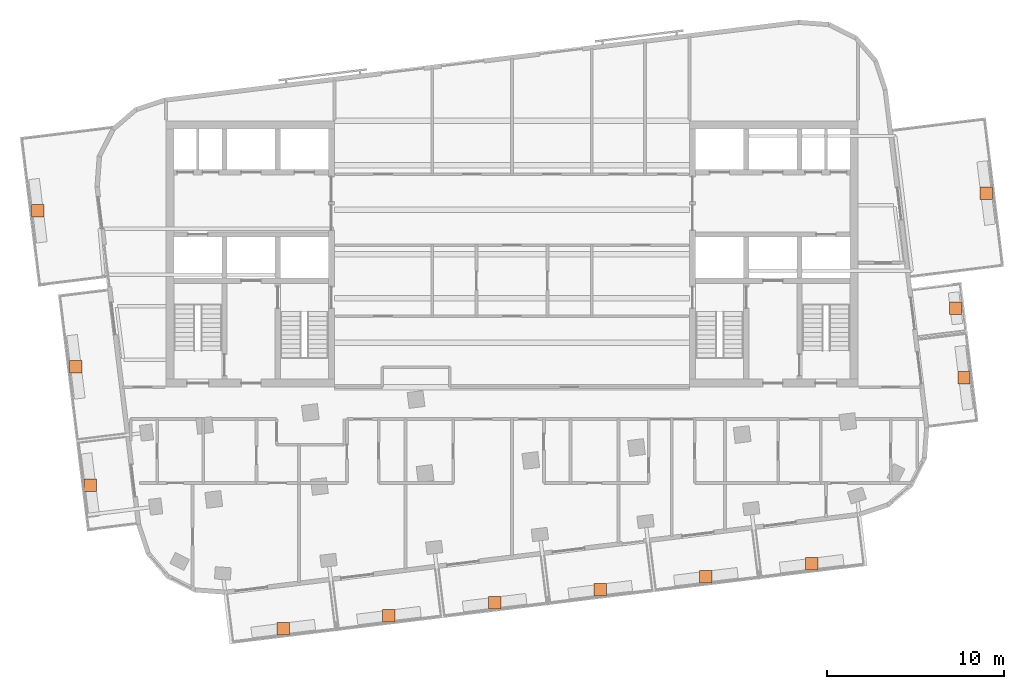
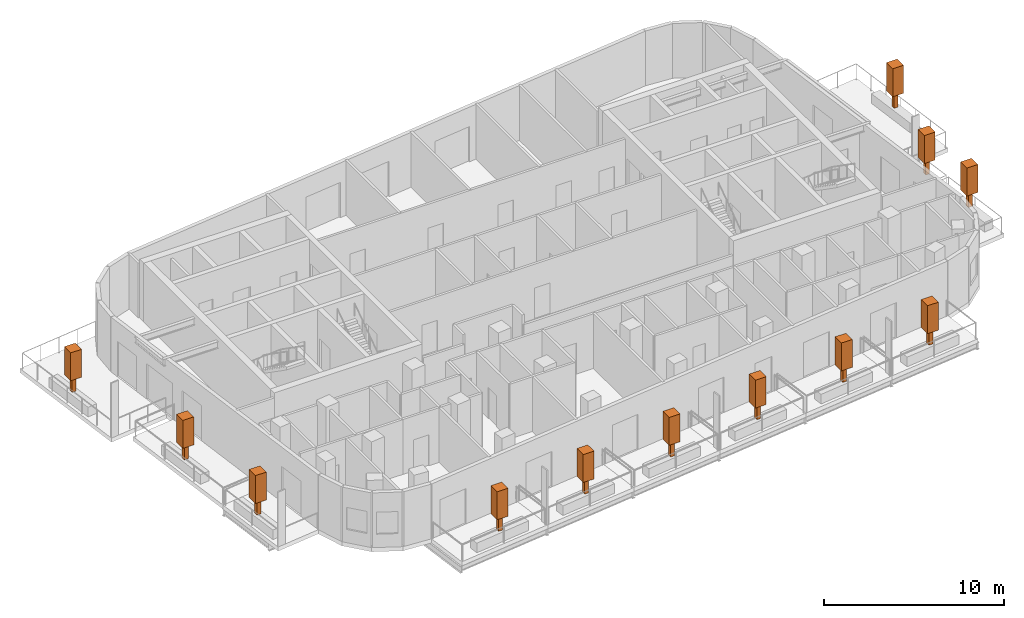
# One storey, part 11 of 11: 12 geographic elements.
"""IFC4 building model written with IfcOpenShell, lengths in metres."""

from ifc_helpers import new_model, si_unit, direction, frame, origin, origin_2d, place, context, subcontext, project, spatial, rectangle, extrude, material, element, save


model = new_model("IFC4")

# Units and contexts
model_context = context("Model", 3, precision=1e-05, world=origin(), true_north=direction((0.0, 1.0)))
body_context = subcontext(model_context, "Body", "Model", "MODEL_VIEW")
ifc_project = project(units=[si_unit("LENGTHUNIT", "METRE"), si_unit("AREAUNIT", "SQUARE_METRE"), si_unit("VOLUMEUNIT", "CUBIC_METRE"), si_unit("PLANEANGLEUNIT", "RADIAN"), si_unit("MASSUNIT", "GRAM", prefix="KILO")], contexts=[model_context])

# Site, building, storey
site_placement = place(None, origin())
site = spatial("IfcSite", under=ifc_project, at=site_placement, CompositionType="ELEMENT")
building_placement = place(site_placement, origin())
building = spatial("IfcBuilding", under=site, at=building_placement, Name="Torana Hotel and Residences", CompositionType="ELEMENT")
storey_placement = place(building_placement, frame((0.0, 0.0, 330.60009765625)))
storey = spatial("IfcBuildingStorey", under=building, at=storey_placement, Name="L87", CompositionType="ELEMENT", Elevation=330.60009765625)

# Geographic elements
ifc_material = material(Name="Foliage", Category="planting")
for number, where, z_axis, x_axis, name in (
    (1, (-12.8896484375, -28.605712890625, 0.64990234375), (0.0, 0.0, 1.0), (1.0, 0.0, 0.0), "Tree 01"),
    (2, (-6.934326171875, -27.87451171875, 0.64990234375), (0.0, 0.0, 1.0), (1.0, 0.0, 0.0), "Tree 02"),
    (3, (-0.97900390625, -27.143310546875, 0.64990234375), (0.0, 0.0, 1.0), (1.0, 0.0, 0.0), "Tree 03"),
    (4, (4.976318359375, -26.412109375, 0.64990234375), (0.0, 0.0, 1.0), (1.0, 0.0, 0.0), "Tree 04"),
    (5, (10.931396484375, -25.680908203125, 0.64990234375), (0.0, 0.0, 1.0), (1.0, 0.0, 0.0), "Tree 05"),
    (6, (16.88671875, -24.94970703125, 0.64990234375), (0.0, 0.0, 1.0), (1.0, 0.0, 0.0), "Tree 06"),
    (7, (-23.756103515625, -20.519775390625, 0.64990234375), (0.0, 0.0, 1.0), (1.0, 0.0, 0.0), "Tree 07"),
    (8, (-24.573974609375, -13.857421875, 0.64990234375), (0.0, 0.0, 1.0), (1.0, 0.0, 0.0), "Tree 08"),
    (9, (-26.71240234375, -5.058349609375, 0.64990234375), (0.0, 0.0, 1.0), (1.0, 0.0, 0.0), "Tree 09"),
    (10, (25.474365234375, -14.47509765625, 0.64990234375), (0.0, 0.0, 1.0), (1.0, 0.0, 0.0), "Tree 10"),
    (11, (24.992919921875, -10.5546875, 0.64990234375), (0.0, 0.0, 1.0), (1.0, 0.0, 0.0), "Tree 11"),
    (12, (26.71484375, -4.06494140625, 0.64990234375), (0.0, 0.0, 1.0), (1.0, 0.0, 0.0), "Tree 12"),
):
    element("IfcGeographicElement", number, at=place(storey_placement, frame(where, z_axis=z_axis, x_axis=x_axis)), inside=storey, material=ifc_material, Name=name, ObjectType="TREE", PredefinedType="USERDEFINED", context=body_context, shape_type="SweptSolid", body=[
        extrude(rectangle(XDim=0.25, YDim=0.25, at=origin_2d()), origin(), (0.0, 0.0, 1.0), 1.0),
        extrude(rectangle(XDim=0.699951171875, YDim=0.699951171875, at=origin_2d()), frame((0.0, 0.0, 1.0)), (0.0, 0.0, 1.0), 1.89990234375),
    ])

save(model, "model.ifc")
